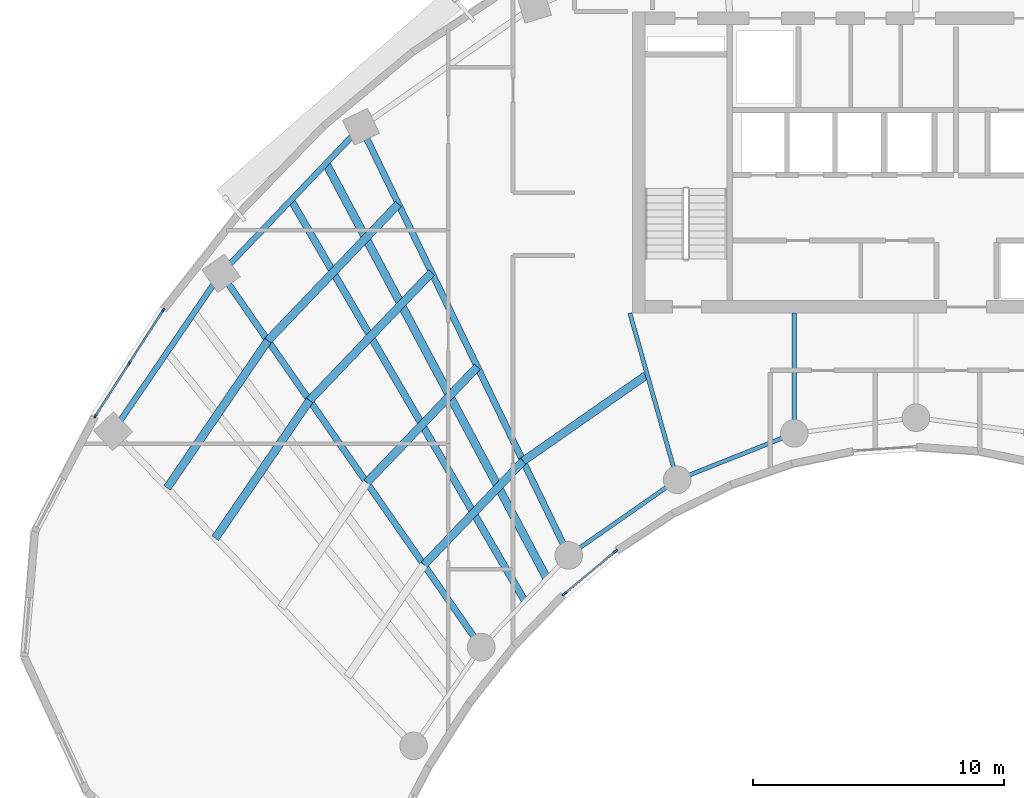
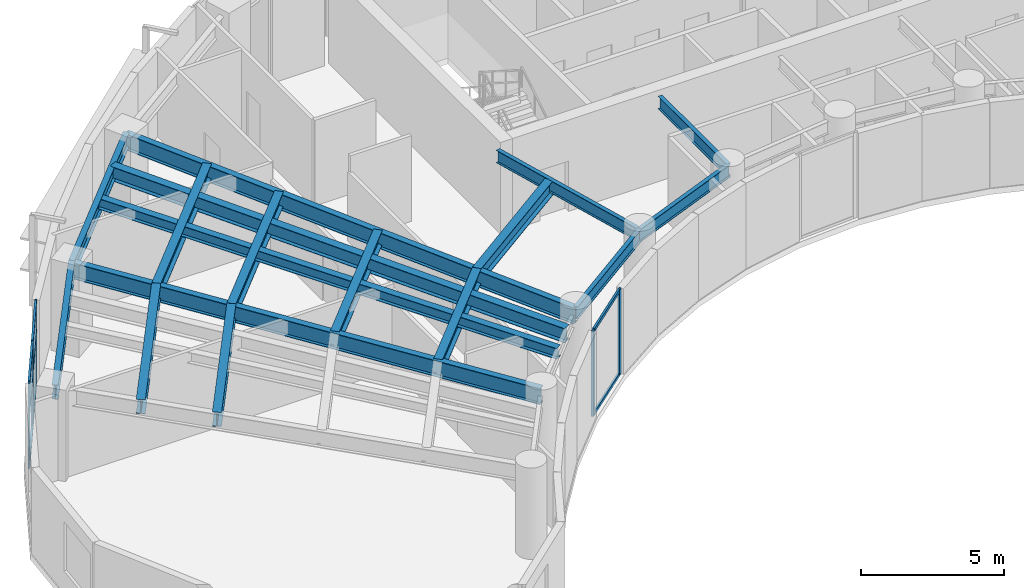
# One storey, part 2 of 13: 17 beams, 13 members, 2 elements without a shape of their own.
"""IFC4 building model written with IfcOpenShell, lengths in metres."""

from ifc_helpers import new_model, si_unit, direction, frame, origin, origin_2d, place, context, subcontext, project, spatial, rectangle, i_section, extrude, source, transform, mapped, material, layer, layer_set, material_profile, profile_set, type_object, type_shapes, element, aggregate, save


model = new_model("IFC4")

# Units and contexts
model_context = context("Model", 3, precision=1e-05, world=origin(), true_north=direction((0.0, 1.0)))
body_context = subcontext(model_context, "Body", "Model", "MODEL_VIEW")
ifc_project = project(units=[si_unit("LENGTHUNIT", "METRE"), si_unit("AREAUNIT", "SQUARE_METRE"), si_unit("VOLUMEUNIT", "CUBIC_METRE"), si_unit("PLANEANGLEUNIT", "RADIAN"), si_unit("MASSUNIT", "GRAM", prefix="KILO")], contexts=[model_context])

# Site, building, storey
site_placement = place(None, origin())
site = spatial("IfcSite", under=ifc_project, at=site_placement, CompositionType="ELEMENT")
building_placement = place(site_placement, origin())
building = spatial("IfcBuilding", under=site, at=building_placement, Name="Breltana Convention Tower", CompositionType="ELEMENT")
storey_placement = place(building_placement, frame((0.0, 0.0, 142.800048828125)))
storey = spatial("IfcBuildingStorey", under=building, at=storey_placement, Name="L34", CompositionType="ELEMENT", Elevation=142.800048828125)

# Beams
ifc_material_1 = material(Name="Steel ASTM A992 Grade 50", Category="steel")
ifc_material_profile_1 = material_profile(ifc_material_1, i_section(OverallWidth=0.25390625, OverallDepth=0.68798828125, WebThickness=0.01318359375, FlangeThickness=0.02099609375, at=origin_2d()), Name="W27X102")
ifc_profile_set_1 = profile_set([ifc_material_profile_1], Name="Steel ASTM A992 Grade 50")
beam_type_1 = type_object("IfcBeamType", Name="BM-RG-W27X102", PredefinedType="USERDEFINED", material=ifc_profile_set_1)
shared_shape_1 = source(origin(), body_context, "Body", "SweptSolid", [
    extrude(i_section(OverallWidth=0.25390625, OverallDepth=0.68798828125, WebThickness=0.01318359375, FlangeThickness=0.02099609375, at=origin_2d()), origin(), (0.0, 0.0, 1.0), 18.1484375),
])
beam_1_placement = place(storey_placement, frame((30.67724609375, 46.892333984375, 3.305908203125), z_axis=(-0.571207556098, 0.820805657788, 0.0), x_axis=(-0.820805657788, -0.571207556098, 0.0)))
element("IfcBeam", 1, at=beam_1_placement, inside=storey, type_object=beam_type_1, Name="L34 Radial Floor Girder R02", ObjectType="GIRDER", PredefinedType="USERDEFINED", context=body_context, shape_type="MappedRepresentation", body=[
    mapped(shared_shape_1, transform((0.0, 0.0, 0.0), scale=1.0)),
])
shared_shape_2 = source(origin(), body_context, "Body", "SweptSolid", [
    extrude(i_section(OverallWidth=0.25390625, OverallDepth=0.68798828125, WebThickness=0.01318359375, FlangeThickness=0.02099609375, at=origin_2d()), origin(), (0.0, 0.0, 1.0), 18.982421875),
])
beam_2_placement = place(storey_placement, frame((34.166259765625, 50.544921875, 3.305908203125), z_axis=(-0.436118560343, 0.89988921614, 0.0), x_axis=(-0.89988921614, -0.436118560343, 0.0)))
element("IfcBeam", 2, at=beam_2_placement, inside=storey, type_object=beam_type_1, Name="L34 Radial Floor Girder R03", ObjectType="GIRDER", PredefinedType="USERDEFINED", context=body_context, shape_type="MappedRepresentation", body=[
    mapped(shared_shape_2, transform((0.0, 0.0, 0.0), scale=1.0)),
])
ifc_material_profile_2 = material_profile(ifc_material_1, i_section(OverallWidth=0.166015625, OverallDepth=0.534912109375, WebThickness=0.01025390625, FlangeThickness=0.0166015625, at=origin_2d()), Name="W21X57")
ifc_profile_set_2 = profile_set([ifc_material_profile_2], Name="Steel ASTM A992 Grade 50")
beam_type_2 = type_object("IfcBeamType", Name="BM-BM-W21X57", PredefinedType="BEAM", material=ifc_profile_set_2)
shared_shape_3 = source(origin(), body_context, "Body", "SweptSolid", [
    extrude(i_section(OverallWidth=0.166015625, OverallDepth=0.534912109375, WebThickness=0.01025390625, FlangeThickness=0.0166015625, at=origin_2d()), origin(), (0.0, 0.0, 1.0), 6.904541015625),
])
type_shapes(beam_type_2, [shared_shape_3])
beam_3_placement = place(storey_placement, frame((36.60009765625, 60.199951171875, 3.382568359375), z_axis=(0.273006781054, -0.962012108811, 0.0), x_axis=(0.962012108811, 0.273006781054, 0.0)))
element("IfcBeam", 3, at=beam_3_placement, inside=storey, type_object=beam_type_2, Name="L34 South Core Tie Girder R04", PredefinedType="BEAM", context=body_context, shape_type="MappedRepresentation", body=[
    mapped(shared_shape_3, transform((0.0, 0.0, 0.0), scale=1.0)),
])
shared_shape_4 = source(origin(), body_context, "Body", "SweptSolid", [
    extrude(i_section(OverallWidth=0.166015625, OverallDepth=0.534912109375, WebThickness=0.01025390625, FlangeThickness=0.0166015625, at=origin_2d()), origin(), (0.0, 0.0, 1.0), 4.789306640625),
])
beam_4_placement = place(storey_placement, frame((43.153564453125, 60.199951171875, 3.382568359375), z_axis=(0.0, -1.0, 0.0), x_axis=(1.0, 0.0, 0.0)))
element("IfcBeam", 4, at=beam_4_placement, inside=storey, type_object=beam_type_2, Name="L34 South Core Tie Girder R05", PredefinedType="BEAM", context=body_context, shape_type="MappedRepresentation", body=[
    mapped(shared_shape_4, transform((0.0, 0.0, 0.0), scale=1.0)),
])
ifc_material_profile_3 = material_profile(ifc_material_1, i_section(OverallWidth=0.22802734375, OverallDepth=0.60791015625, WebThickness=0.01123046875, FlangeThickness=0.017333984375, at=origin_2d()), Name="W24X76")
ifc_profile_set_3 = profile_set([ifc_material_profile_3], Name="Steel ASTM A992 Grade 50")
beam_type_3 = type_object("IfcBeamType", Name="BM-SP-W24X76", PredefinedType="SPANDREL", material=ifc_profile_set_3)
shared_shape_5 = source(origin(), body_context, "Body", "SweptSolid", [
    extrude(i_section(OverallWidth=0.22802734375, OverallDepth=0.60791015625, WebThickness=0.01123046875, FlangeThickness=0.017333984375, at=origin_2d()), origin(), (0.0, 0.0, 1.0), 7.625),
])
type_shapes(beam_type_3, [shared_shape_5])
beam_5_placement = place(storey_placement, frame((16.0068359375, 55.494384765625, 3.345947265625), z_axis=(0.564452031902, 0.825465870694, 0.0), x_axis=(-0.825465870694, 0.564452031902, 0.0)))
element("IfcBeam", 5, at=beam_5_placement, inside=storey, type_object=beam_type_3, Name="L34 Outer Spandrel Beam 01", PredefinedType="SPANDREL", context=body_context, shape_type="MappedRepresentation", body=[
    mapped(shared_shape_5, transform((0.0, 0.0, 0.0), scale=1.0)),
])
shared_shape_6 = source(origin(), body_context, "Body", "SweptSolid", [
    extrude(i_section(OverallWidth=0.22802734375, OverallDepth=0.60791015625, WebThickness=0.01123046875, FlangeThickness=0.017333984375, at=origin_2d()), origin(), (0.0, 0.0, 1.0), 8.073974609375),
])
beam_6_placement = place(storey_placement, frame((20.310791015625, 61.78857421875, 3.345947265625), z_axis=(0.69072885448, 0.723113856588, 0.0), x_axis=(-0.723113856588, 0.69072885448, 0.0)))
element("IfcBeam", 6, at=beam_6_placement, inside=storey, type_object=beam_type_3, Name="L34 Outer Spandrel Beam 02", PredefinedType="SPANDREL", context=body_context, shape_type="MappedRepresentation", body=[
    mapped(shared_shape_6, transform((0.0, 0.0, 0.0), scale=1.0)),
])
shared_shape_7 = source(origin(), body_context, "Body", "SweptSolid", [
    extrude(i_section(OverallWidth=0.166015625, OverallDepth=0.534912109375, WebThickness=0.01025390625, FlangeThickness=0.0166015625, at=origin_2d()), origin(), (0.0, 0.0, 1.0), 5.265869140625),
])
beam_7_placement = place(storey_placement, frame((34.166259765625, 50.544921875, 3.382568359375), z_axis=(0.820167429517, 0.572123577176, 0.0), x_axis=(-0.572123577176, 0.820167429517, 0.0)))
element("IfcBeam", 7, at=beam_7_placement, inside=storey, type_object=beam_type_2, Name="L34 Inner Ring Beam 03", PredefinedType="BEAM", context=body_context, shape_type="MappedRepresentation", body=[
    mapped(shared_shape_7, transform((0.0, 0.0, 0.0), scale=1.0)),
])
shared_shape_8 = source(origin(), body_context, "Body", "SweptSolid", [
    extrude(i_section(OverallWidth=0.166015625, OverallDepth=0.534912109375, WebThickness=0.01025390625, FlangeThickness=0.0166015625, at=origin_2d()), origin(), (0.0, 0.0, 1.0), 5.022705078125),
])
beam_8_placement = place(storey_placement, frame((38.485107421875, 53.5576171875, 3.382568359375), z_axis=(0.929458966248, 0.368925507469, 0.0), x_axis=(-0.368925507469, 0.929458966248, 0.0)))
element("IfcBeam", 8, at=beam_8_placement, inside=storey, type_object=beam_type_2, Name="L34 Inner Ring Beam 04", PredefinedType="BEAM", context=body_context, shape_type="MappedRepresentation", body=[
    mapped(shared_shape_8, transform((0.0, 0.0, 0.0), scale=1.0)),
])
ifc_material_profile_4 = material_profile(ifc_material_1, i_section(OverallWidth=0.323974609375, OverallDepth=0.611083984375, WebThickness=0.0126953125, FlangeThickness=0.01904296875, at=origin_2d()), Name="W24X104")
ifc_profile_set_4 = profile_set([ifc_material_profile_4], Name="Steel ASTM A992 Grade 50")
beam_type_4 = type_object("IfcBeamType", Name="BM-JSG-01", PredefinedType="JOIST", material=ifc_profile_set_4)
shared_shape_9 = source(origin(), body_context, "Body", "SweptSolid", [
    extrude(i_section(OverallWidth=0.323974609375, OverallDepth=0.611083984375, WebThickness=0.0126953125, FlangeThickness=0.01904296875, at=origin_2d()), origin(), (0.0, 0.0, 1.0), 6.654541015625),
])
beam_9_placement = place(storey_placement, frame((20.0791015625, 51.23095703125, 3.344482421875), z_axis=(0.564482668195, 0.82544492082, 0.0), x_axis=(-0.82544492082, 0.564482668195, 0.0)))
element("IfcBeam", 9, at=beam_9_placement, inside=storey, type_object=beam_type_4, Name="L34 Composite Floor Joist 01.3", PredefinedType="JOIST", context=body_context, shape_type="MappedRepresentation", body=[
    mapped(shared_shape_9, transform((0.0, 0.0, 0.0), scale=1.0)),
])
shared_shape_10 = source(origin(), body_context, "Body", "SweptSolid", [
    extrude(i_section(OverallWidth=0.323974609375, OverallDepth=0.611083984375, WebThickness=0.0126953125, FlangeThickness=0.01904296875, at=origin_2d()), origin(), (0.0, 0.0, 1.0), 7.111328125),
])
beam_10_placement = place(storey_placement, frame((18.162841796875, 53.2373046875, 3.344482421875), z_axis=(0.564446356178, 0.825469751715, 0.0), x_axis=(-0.825469751715, 0.564446356178, 0.0)))
element("IfcBeam", 10, at=beam_10_placement, inside=storey, type_object=beam_type_4, Name="L34 Composite Floor Joist 01.4", PredefinedType="JOIST", context=body_context, shape_type="MappedRepresentation", body=[
    mapped(shared_shape_10, transform((0.0, 0.0, 0.0), scale=1.0)),
])
shared_shape_11 = source(origin(), body_context, "Body", "SweptSolid", [
    extrude(i_section(OverallWidth=0.323974609375, OverallDepth=0.611083984375, WebThickness=0.0126953125, FlangeThickness=0.01904296875, at=origin_2d()), origin(), (0.0, 0.0, 1.0), 5.716064453125),
])
beam_11_placement = place(storey_placement, frame((28.396484375, 50.169677734375, 3.344482421875), z_axis=(0.690756060045, 0.723087868458, 0.0), x_axis=(-0.723087868458, 0.690756060045, 0.0)))
element("IfcBeam", 11, at=beam_11_placement, inside=storey, type_object=beam_type_4, Name="L34 Composite Floor Joist 02.1", PredefinedType="JOIST", context=body_context, shape_type="MappedRepresentation", body=[
    mapped(shared_shape_11, transform((0.0, 0.0, 0.0), scale=1.0)),
])
shared_shape_12 = source(origin(), body_context, "Body", "SweptSolid", [
    extrude(i_section(OverallWidth=0.323974609375, OverallDepth=0.611083984375, WebThickness=0.0126953125, FlangeThickness=0.01904296875, at=origin_2d()), origin(), (0.0, 0.0, 1.0), 6.381103515625),
])
beam_12_placement = place(storey_placement, frame((26.115966796875, 53.44677734375, 3.344482421875), z_axis=(0.690737768889, 0.723105341309, 0.0), x_axis=(-0.723105341309, 0.690737768889, 0.0)))
element("IfcBeam", 12, at=beam_12_placement, inside=storey, type_object=beam_type_4, Name="L34 Composite Floor Joist 02.2", PredefinedType="JOIST", context=body_context, shape_type="MappedRepresentation", body=[
    mapped(shared_shape_12, transform((0.0, 0.0, 0.0), scale=1.0)),
])
shared_shape_13 = source(origin(), body_context, "Body", "SweptSolid", [
    extrude(i_section(OverallWidth=0.323974609375, OverallDepth=0.611083984375, WebThickness=0.0126953125, FlangeThickness=0.01904296875, at=origin_2d()), origin(), (0.0, 0.0, 1.0), 7.046142578125),
])
beam_13_placement = place(storey_placement, frame((23.83544921875, 56.723876953125, 3.344482421875), z_axis=(0.690722929904, 0.723119515782, 0.0), x_axis=(-0.723119515782, 0.690722929904, 0.0)))
element("IfcBeam", 13, at=beam_13_placement, inside=storey, type_object=beam_type_4, Name="L34 Composite Floor Joist 02.3", PredefinedType="JOIST", context=body_context, shape_type="MappedRepresentation", body=[
    mapped(shared_shape_13, transform((0.0, 0.0, 0.0), scale=1.0)),
])
shared_shape_14 = source(origin(), body_context, "Body", "SweptSolid", [
    extrude(i_section(OverallWidth=0.323974609375, OverallDepth=0.611083984375, WebThickness=0.0126953125, FlangeThickness=0.01904296875, at=origin_2d()), origin(), (0.0, 0.0, 1.0), 7.529541015625),
])
beam_14_placement = place(storey_placement, frame((22.1767578125, 59.107421875, 3.344482421875), z_axis=(0.690725562031, 0.723117001568, 0.0), x_axis=(-0.723117001568, 0.690725562031, 0.0)))
element("IfcBeam", 14, at=beam_14_placement, inside=storey, type_object=beam_type_4, Name="L34 Composite Floor Joist 02.4", PredefinedType="JOIST", context=body_context, shape_type="MappedRepresentation", body=[
    mapped(shared_shape_14, transform((0.0, 0.0, 0.0), scale=1.0)),
])
ifc_material_profile_5 = material_profile(ifc_material_1, i_section(OverallWidth=0.280029296875, OverallDepth=0.462890625, WebThickness=0.0107421875, FlangeThickness=0.017333984375, at=origin_2d()), Name="W18X76")
ifc_profile_set_5 = profile_set([ifc_material_profile_5], Name="Steel ASTM A992 Grade 50")
beam_type_5 = type_object("IfcBeamType", Name="BM-JSG-06", PredefinedType="JOIST", material=ifc_profile_set_5)
shared_shape_15 = source(origin(), body_context, "Body", "SweptSolid", [
    extrude(i_section(OverallWidth=0.280029296875, OverallDepth=0.462890625, WebThickness=0.0107421875, FlangeThickness=0.017333984375, at=origin_2d()), origin(), (0.0, 0.0, 1.0), 18.50830078125),
])
beam_15_placement = place(storey_placement, frame((32.421630859375, 48.71875, 3.41845703125), z_axis=(-0.50368319637, 0.863888440537, 0.0), x_axis=(-0.863888440537, -0.50368319637, 0.0)))
element("IfcBeam", 15, at=beam_15_placement, inside=storey, type_object=beam_type_5, Name="L34 Mid-Bay Radial Trimmer 02", PredefinedType="JOIST", context=body_context, shape_type="MappedRepresentation", body=[
    mapped(shared_shape_15, transform((0.0, 0.0, 0.0), scale=1.0)),
])
shared_shape_16 = source(origin(), body_context, "Body", "SweptSolid", [
    extrude(i_section(OverallWidth=0.323974609375, OverallDepth=0.611083984375, WebThickness=0.0126953125, FlangeThickness=0.01904296875, at=origin_2d()), origin(), (0.0, 0.0, 1.0), 18.731689453125),
])
beam_16_placement = place(storey_placement, frame((33.2939453125, 49.6318359375, 3.344482421875), z_axis=(-0.469820250451, 0.882762104004, 0.0), x_axis=(-0.882762104004, -0.469820250451, 0.0)))
element("IfcBeam", 16, at=beam_16_placement, inside=storey, type_object=beam_type_4, Name="L34 Quarter-Bay Radial Trimmer 02", PredefinedType="JOIST", context=body_context, shape_type="MappedRepresentation", body=[
    mapped(shared_shape_16, transform((0.0, 0.0, 0.0), scale=1.0)),
])
shared_shape_17 = source(origin(), body_context, "Body", "SweptSolid", [
    extrude(i_section(OverallWidth=0.323974609375, OverallDepth=0.611083984375, WebThickness=0.0126953125, FlangeThickness=0.01904296875, at=origin_2d()), origin(), (0.0, 0.0, 1.0), 5.959228515625),
])
beam_17_placement = place(storey_placement, frame((32.344970703125, 54.302978515625, 3.344482421875), z_axis=(0.820160485262, 0.572133531979, 0.0), x_axis=(-0.572133531979, 0.820160485262, 0.0)))
element("IfcBeam", 17, at=beam_17_placement, inside=storey, type_object=beam_type_4, Name="L34 Composite Floor Joist 03.1", PredefinedType="JOIST", context=body_context, shape_type="MappedRepresentation", body=[
    mapped(shared_shape_17, transform((0.0, 0.0, 0.0), scale=1.0)),
])

# Curtain wall, members
ifc_material_2 = material(Name="Aluminium Anodised Bronze Frame", Category="aluminium")
ifc_layer_1 = layer(ifc_material_2, 0.18994140625, Name="Aluminium Anodised Bronze Frame")
ifc_layer_set_1 = layer_set([ifc_layer_1], Name="Aluminium Anodised Bronze Frame")
curtain_wall_type_1 = type_object("IfcCurtainWallType", Name="CW-SYS-1", PredefinedType="NOTDEFINED", material=ifc_layer_set_1)
curtain_wall_1_placement = place(storey_placement, origin())
curtain_wall_1 = element("IfcCurtainWall", 18, at=curtain_wall_1_placement, inside=storey, type_object=curtain_wall_type_1, Name="L34 inner south-court glazing 5", PredefinedType="NOTDEFINED")
ifc_material_3 = material(Name="Aluminium Anodised Bronze", Category="aluminium")
ifc_material_profile_6 = material_profile(ifc_material_3, rectangle(XDim=0.080078125, YDim=0.199951171875, at=origin_2d()), Name="CWM-80X200")
ifc_profile_set_6 = profile_set([ifc_material_profile_6], Name="Aluminium Anodised Bronze")
member_type_1 = type_object("IfcMemberType", Name="CWM-200", PredefinedType="MULLION", material=ifc_profile_set_6)
shared_shape_18 = source(origin(), body_context, "Body", "SweptSolid", [
    extrude(rectangle(XDim=0.080078125, YDim=0.199951171875, at=origin_2d()), origin(), (0.0, 0.0, 1.0), 3.64990234375),
])
member_1_placement = place(storey_placement, frame((36.024658203125, 50.709228515625, 0.0), z_axis=(0.0, 0.0, 1.0), x_axis=(0.640537495741, -0.767926895316, 0.0)))
member_1 = element("IfcMember", 19, at=member_1_placement, type_object=member_type_1, Name="CW-01 mullion 1", PredefinedType="MULLION", context=body_context, shape_type="MappedRepresentation", body=[
    mapped(shared_shape_18, transform((0.0, 0.0, 0.0), scale=1.0)),
])
member_2_placement = place(storey_placement, frame((33.989990234375, 49.01220703125, 0.0), z_axis=(0.0, 0.0, 1.0), x_axis=(0.640537495741, -0.767926895316, 0.0)))
member_2 = element("IfcMember", 20, at=member_2_placement, type_object=member_type_1, Name="CW-01 mullion 2", PredefinedType="MULLION", context=body_context, shape_type="MappedRepresentation", body=[
    mapped(shared_shape_18, transform((0.0, 0.0, 0.0), scale=1.0)),
])

ifc_layer_2 = layer(ifc_material_2, 0.2099609375, Name="Aluminium Anodised Bronze Frame")
ifc_layer_set_2 = layer_set([ifc_layer_2], Name="Aluminium Anodised Bronze Frame")
curtain_wall_type_2 = type_object("IfcCurtainWallType", Name="CW-SYS-3", PredefinedType="NOTDEFINED", material=ifc_layer_set_2)
curtain_wall_2_placement = place(storey_placement, origin())
curtain_wall_2 = element("IfcCurtainWall", 21, at=curtain_wall_2_placement, inside=storey, type_object=curtain_wall_type_2, Name="L34 outer double-skin inner glazing 1", PredefinedType="NOTDEFINED")
ifc_material_profile_7 = material_profile(ifc_material_3, rectangle(XDim=0.070068359375, YDim=0.175048828125, at=origin_2d()), Name="CWM-70X175")
ifc_profile_set_7 = profile_set([ifc_material_profile_7], Name="Aluminium Anodised Bronze")
member_type_2 = type_object("IfcMemberType", Name="CWM-175", PredefinedType="MULLION", material=ifc_profile_set_7)
shared_shape_19 = source(origin(), body_context, "Body", "SweptSolid", [
    extrude(rectangle(XDim=0.070068359375, YDim=0.175048828125, at=origin_2d()), origin(), (0.0, 0.0, 1.0), 3.64990234375),
])
member_3_placement = place(storey_placement, frame((15.304443359375, 56.10498046875, 0.0), z_axis=(0.0, 0.0, 1.0), x_axis=(-0.841554203529, 0.54017267843, 0.0)))
member_3 = element("IfcMember", 22, at=member_3_placement, type_object=member_type_2, Name="CW-03 mullion 1", PredefinedType="MULLION", context=body_context, shape_type="MappedRepresentation", body=[
    mapped(shared_shape_19, transform((0.0, 0.0, 0.0), scale=1.0)),
])
member_4_placement = place(storey_placement, frame((16.6533203125, 58.20654296875, 0.0), z_axis=(0.0, 0.0, 1.0), x_axis=(-0.841554203529, 0.54017267843, 0.0)))
member_4 = element("IfcMember", 23, at=member_4_placement, type_object=member_type_2, Name="CW-03 mullion 2", PredefinedType="MULLION", context=body_context, shape_type="MappedRepresentation", body=[
    mapped(shared_shape_19, transform((0.0, 0.0, 0.0), scale=1.0)),
])
member_5_placement = place(storey_placement, frame((18.00244140625, 60.308349609375, 0.0), z_axis=(0.0, 0.0, 1.0), x_axis=(-0.841554203529, 0.54017267843, 0.0)))
member_5 = element("IfcMember", 24, at=member_5_placement, type_object=member_type_2, Name="CW-03 mullion 3", PredefinedType="MULLION", context=body_context, shape_type="MappedRepresentation", body=[
    mapped(shared_shape_19, transform((0.0, 0.0, 0.0), scale=1.0)),
])

# Member
ifc_material_profile_8 = material_profile(ifc_material_3, rectangle(XDim=0.080078125, YDim=0.139892578125, at=origin_2d()), Name="CWT-80X140")
ifc_profile_set_8 = profile_set([ifc_material_profile_8], Name="Aluminium Anodised Bronze")
member_type_3 = type_object("IfcMemberType", Name="CWT-140", PredefinedType="USERDEFINED", material=ifc_profile_set_8)
shared_shape_20 = source(origin(), body_context, "Body", "SweptSolid", [
    extrude(rectangle(XDim=0.080078125, YDim=0.139892578125, at=origin_2d()), origin(), (0.0, 0.0, 1.0), 2.5693359375),
])
member_6_placement = place(storey_placement, frame((35.993896484375, 50.68359375, 0.0400390625), z_axis=(-0.767940822982, -0.640520797788, 0.0), x_axis=(0.640520797788, -0.767940822982, 0.0)))
member_6 = element("IfcMember", 25, at=member_6_placement, type_object=member_type_3, Name="CW-01 transom 1.1", ObjectType="TRANSOM", PredefinedType="USERDEFINED", context=body_context, shape_type="MappedRepresentation", body=[
    mapped(shared_shape_20, transform((0.0, 0.0, 0.0), scale=1.0)),
])

member_7_placement = place(storey_placement, frame((35.993896484375, 50.68359375, 3.60986328125), z_axis=(-0.767940822982, -0.640520797788, 0.0), x_axis=(0.640520797788, -0.767940822982, 0.0)))
member_7 = element("IfcMember", 26, at=member_7_placement, type_object=member_type_3, Name="CW-01 transom 1.2", ObjectType="TRANSOM", PredefinedType="USERDEFINED", context=body_context, shape_type="MappedRepresentation", body=[
    mapped(shared_shape_20, transform((0.0, 0.0, 0.0), scale=1.0)),
])

aggregate(curtain_wall_1, [member_1, member_2, member_6, member_7])

shared_shape_21 = source(origin(), body_context, "Body", "SweptSolid", [
    extrude(rectangle(XDim=0.080078125, YDim=0.139892578125, at=origin_2d()), origin(), (0.0, 0.0, 1.0), 2.427490234375),
])
member_8_placement = place(storey_placement, frame((15.3232421875, 56.134521484375, 0.0400390625), z_axis=(0.540203388332, 0.841534490817, 0.0), x_axis=(-0.841534490817, 0.540203388332, 0.0)))
member_8 = element("IfcMember", 27, at=member_8_placement, type_object=member_type_3, Name="CW-03 transom 1.1", ObjectType="TRANSOM", PredefinedType="USERDEFINED", context=body_context, shape_type="MappedRepresentation", body=[
    mapped(shared_shape_21, transform((0.0, 0.0, 0.0), scale=1.0)),
])

member_9_placement = place(storey_placement, frame((15.3232421875, 56.134521484375, 2.37255859375), z_axis=(0.540203388332, 0.841534490817, 0.0), x_axis=(-0.841534490817, 0.540203388332, 0.0)))
member_9 = element("IfcMember", 28, at=member_9_placement, type_object=member_type_3, Name="CW-03 transom 1.2", ObjectType="TRANSOM", PredefinedType="USERDEFINED", context=body_context, shape_type="MappedRepresentation", body=[
    mapped(shared_shape_21, transform((0.0, 0.0, 0.0), scale=1.0)),
])

member_10_placement = place(storey_placement, frame((15.3232421875, 56.134521484375, 3.60986328125), z_axis=(0.540203388332, 0.841534490817, 0.0), x_axis=(-0.841534490817, 0.540203388332, 0.0)))
member_10 = element("IfcMember", 29, at=member_10_placement, type_object=member_type_3, Name="CW-03 transom 1.3", ObjectType="TRANSOM", PredefinedType="USERDEFINED", context=body_context, shape_type="MappedRepresentation", body=[
    mapped(shared_shape_21, transform((0.0, 0.0, 0.0), scale=1.0)),
])

shared_shape_22 = source(origin(), body_context, "Body", "SweptSolid", [
    extrude(rectangle(XDim=0.080078125, YDim=0.139892578125, at=origin_2d()), origin(), (0.0, 0.0, 1.0), 2.42724609375),
])
member_11_placement = place(storey_placement, frame((16.67236328125, 58.236083984375, 0.0400390625), z_axis=(0.540132155308, 0.841580212934, 0.0), x_axis=(-0.841580212934, 0.540132155308, 0.0)))
member_11 = element("IfcMember", 30, at=member_11_placement, type_object=member_type_3, Name="CW-03 transom 2.1", ObjectType="TRANSOM", PredefinedType="USERDEFINED", context=body_context, shape_type="MappedRepresentation", body=[
    mapped(shared_shape_22, transform((0.0, 0.0, 0.0), scale=1.0)),
])

member_12_placement = place(storey_placement, frame((16.67236328125, 58.236083984375, 2.37255859375), z_axis=(0.540132155308, 0.841580212934, 0.0), x_axis=(-0.841580212934, 0.540132155308, 0.0)))
member_12 = element("IfcMember", 31, at=member_12_placement, type_object=member_type_3, Name="CW-03 transom 2.2", ObjectType="TRANSOM", PredefinedType="USERDEFINED", context=body_context, shape_type="MappedRepresentation", body=[
    mapped(shared_shape_22, transform((0.0, 0.0, 0.0), scale=1.0)),
])

member_13_placement = place(storey_placement, frame((16.67236328125, 58.236083984375, 3.60986328125), z_axis=(0.540132155308, 0.841580212934, 0.0), x_axis=(-0.841580212934, 0.540132155308, 0.0)))
member_13 = element("IfcMember", 32, at=member_13_placement, type_object=member_type_3, Name="CW-03 transom 2.3", ObjectType="TRANSOM", PredefinedType="USERDEFINED", context=body_context, shape_type="MappedRepresentation", body=[
    mapped(shared_shape_22, transform((0.0, 0.0, 0.0), scale=1.0)),
])

aggregate(curtain_wall_2, [member_3, member_4, member_5, member_8, member_9, member_10, member_11, member_12, member_13])

save(model, "model.ifc")
